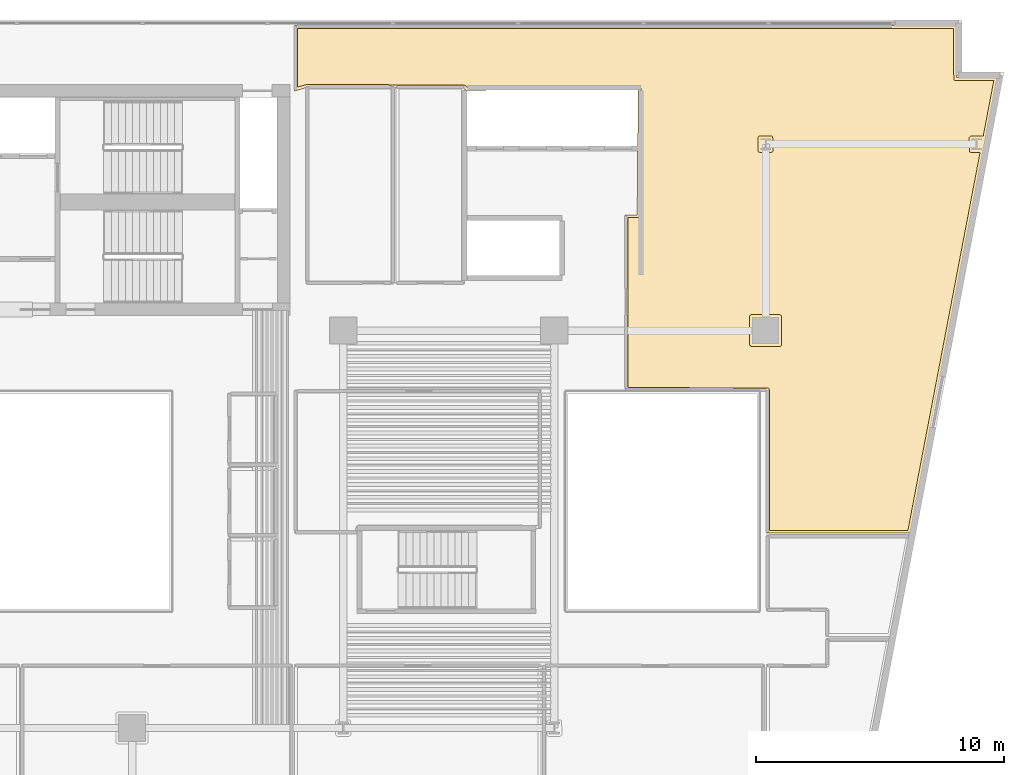
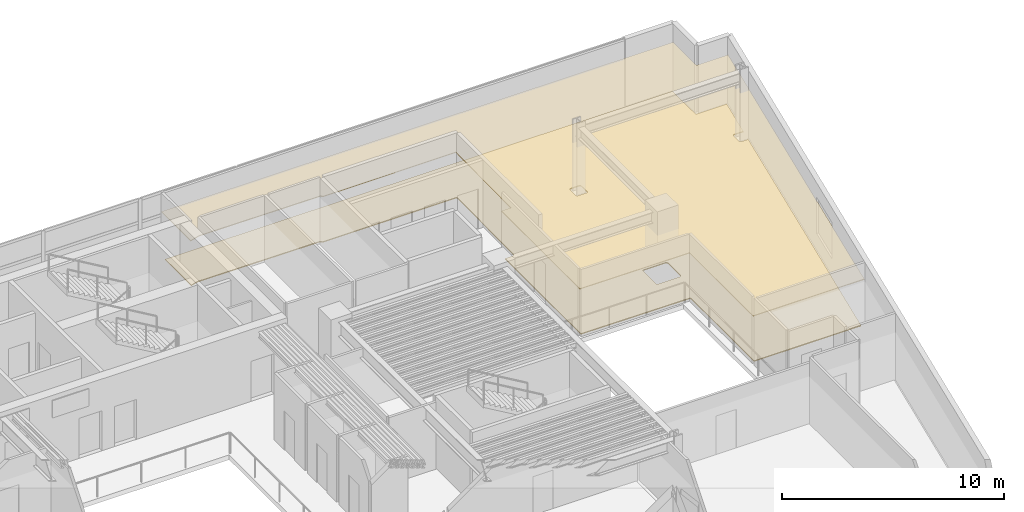
# One storey, part 13 of 13: 2 coverings.
"""IFC4 building model written with IfcOpenShell, lengths in metres."""

from ifc_helpers import new_model, si_unit, direction, frame, origin, place, context, subcontext, project, spatial, polyline, outline, extrude, material, layer, layer_set, type_object, element, save


model = new_model("IFC4")

# Units and contexts
model_context = context("Model", 3, precision=1e-05, world=origin(), true_north=direction((0.0, 1.0)))
body_context = subcontext(model_context, "Body", "Model", "MODEL_VIEW")
ifc_project = project(units=[si_unit("LENGTHUNIT", "METRE"), si_unit("AREAUNIT", "SQUARE_METRE"), si_unit("VOLUMEUNIT", "CUBIC_METRE"), si_unit("PLANEANGLEUNIT", "RADIAN"), si_unit("MASSUNIT", "GRAM", prefix="KILO")], contexts=[model_context])

# Site, building, storey
site_placement = place(None, origin())
site = spatial("IfcSite", under=ifc_project, at=site_placement, CompositionType="ELEMENT")
building_placement = place(site_placement, origin())
building = spatial("IfcBuilding", under=site, at=building_placement, Name="Caeloran Harvest Quay", CompositionType="ELEMENT")
storey_placement = place(building_placement, frame((0.0, 0.0, 127.199951171875)))
storey = spatial("IfcBuildingStorey", under=building, at=storey_placement, Name="L29", CompositionType="ELEMENT", Elevation=127.199951171875)

# Coverings
ifc_material_1 = material(Name="Perforated Mineral-Fibre Acoustic Ceiling Tile", Category="ceiling")
ifc_layer_1 = layer(ifc_material_1, 0.0400390625, Name="Perforated Mineral-Fibre Acoustic Ceiling Tile")
ifc_layer_set_1 = layer_set([ifc_layer_1], Name="Perforated Mineral-Fibre Acoustic Ceiling Tile")
covering_type_1 = type_object("IfcCoveringType", Name="COV-CEILING-ACOUSTIC", PredefinedType="CEILING", material=ifc_layer_set_1)
covering_1_placement = place(storey_placement, frame((0.0, 0.0, 2.60009765625)))
element("IfcCovering", 1, at=covering_1_placement, inside=storey, type_object=covering_type_1, Name="Controlled-Climate Simulation Lab 10 Acoustic Ceiling", PredefinedType="CEILING", context=body_context, shape_type="SweptSolid", body=[
    extrude(outline(polyline([(50.179931640625, 43.280029296875), (50.179931640625, 41.179931640625), (51.8330078125, 41.179931640625), (48.33056640625, 22.840087890625), (42.5400390625, 22.840087890625), (42.5400390625, 28.569580078125), (36.840087890625, 28.590087890625), (36.840087890625, 35.659912109375), (37.330322265625, 35.659912109375), (37.36962890625, 40.68994140625), (30.447021484375, 40.669921875), (30.36279296875, 40.758544921875), (24.0556640625, 40.7900390625), (23.5400390625, 40.63916015625), (23.5400390625, 43.280029296875), (50.179931640625, 43.280029296875)])), origin(), (0.0, 0.0, 1.0), 0.0400390625),
])
ifc_material_2 = material(Name="Calcium-Sulphate Raised Access Floor and Terrazzo Finish", Category="flooring")
ifc_layer_2 = layer(ifc_material_2, 0.050048828125, Name="Calcium-Sulphate Raised Access Floor and Terrazzo Finish")
ifc_layer_set_2 = layer_set([ifc_layer_2], Name="Calcium-Sulphate Raised Access Floor and Terrazzo Finish")
covering_type_2 = type_object("IfcCoveringType", Name="COV-FLOOR-RAISED", PredefinedType="FLOORING", material=ifc_layer_set_2)
covering_2_placement = place(storey_placement, origin())
element("IfcCovering", 2, at=covering_2_placement, inside=storey, type_object=covering_type_2, Name="Controlled-Climate Simulation Lab 10 Raised Finish Flooring", PredefinedType="FLOORING", context=body_context, shape_type="SweptSolid", body=[
    extrude(outline(polyline([(23.659912109375, 40.79931640625), (23.659912109375, 43.159912109375), (50.06005859375, 43.159912109375), (50.078125, 41.089111328125), (50.139892578125, 41.06005859375), (51.68798828125, 41.06005859375), (51.260986328125, 38.82421875), (50.76513671875, 38.83154296875), (50.694580078125, 38.767578125), (50.70654296875, 38.20361328125), (50.76513671875, 38.16845703125), (51.135498046875, 38.16796875), (48.231201171875, 22.9599609375), (42.659912109375, 22.9599609375), (42.659912109375, 28.609375), (42.617919921875, 28.679931640625), (36.9599609375, 28.709716796875), (36.9599609375, 35.5400390625), (37.377685546875, 35.540283203125), (37.44970703125, 35.611572265625), (37.489990234375, 40.7294921875), (37.45458984375, 40.79638671875), (30.498291015625, 40.7900390625), (30.38037109375, 40.87841796875), (24.05029296875, 40.909912109375), (23.659912109375, 40.79931640625)]), holes=[polyline([(41.93505859375, 31.64501953125), (41.87841796875, 31.62158203125), (41.85498046875, 31.56494140625), (41.85498046875, 30.43505859375), (41.87841796875, 30.37841796875), (41.93505859375, 30.35498046875), (43.06494140625, 30.35498046875), (43.12158203125, 30.37841796875), (43.14501953125, 30.43505859375), (43.14501953125, 31.56494140625), (43.12158203125, 31.62158203125), (43.06494140625, 31.64501953125), (41.93505859375, 31.64501953125)]), polyline([(42.806884765625, 38.248046875), (42.788818359375, 38.802734375), (42.73486328125, 38.83154296875), (42.27294921875, 38.83203125), (42.21630859375, 38.80859375), (42.193115234375, 38.751953125), (42.193115234375, 38.248046875), (42.21630859375, 38.19140625), (42.27294921875, 38.16796875), (42.72705078125, 38.16796875), (42.78369140625, 38.19140625), (42.806884765625, 38.248046875)])]), origin(), (0.0, 0.0, 1.0), 0.050048828125),
])

save(model, "model.ifc")
